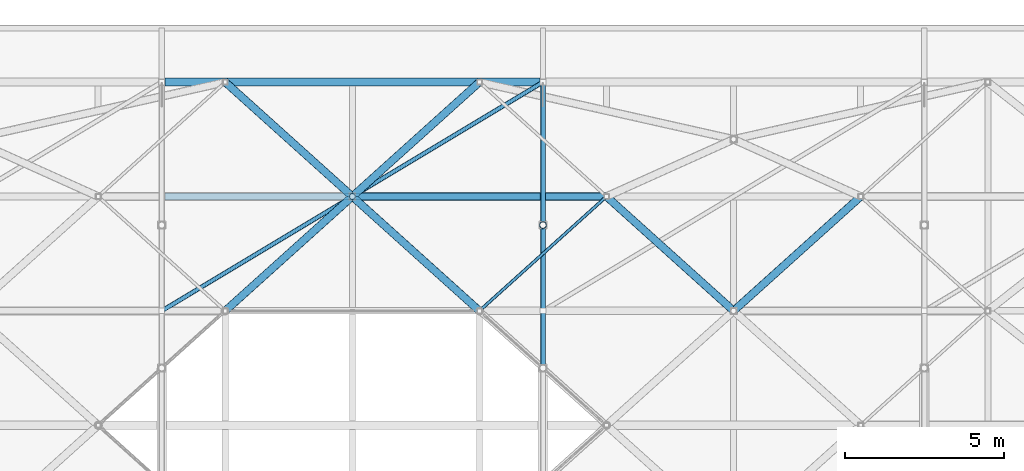
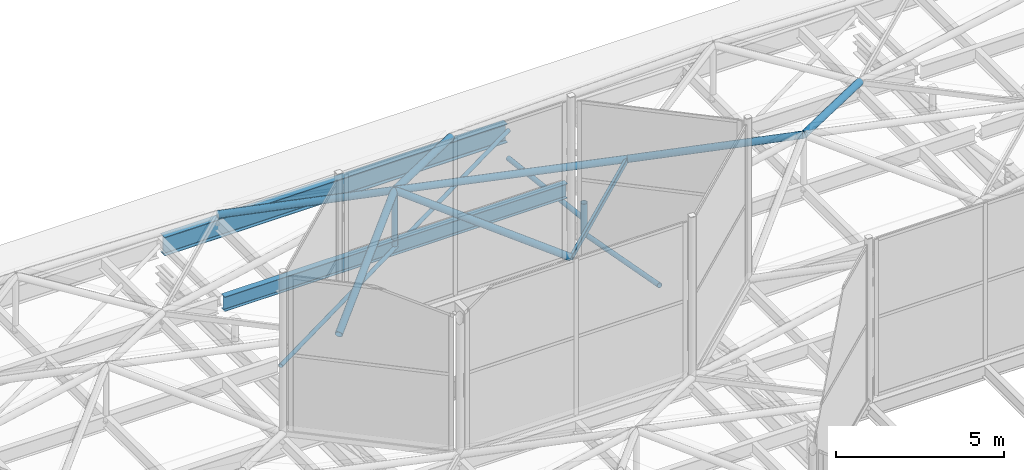
# One storey, part 140 of 239: 12 members, 3 beams.
"""IFC4 building model written with IfcOpenShell, lengths in metres."""

from ifc_helpers import new_model, si_unit, direction, frame, origin, origin_2d, place, context, subcontext, project, spatial, hollow_rectangle, hollow_circle, i_section, extrude, material, material_profile, profile_set, type_object, element, save


model = new_model("IFC4")

# Units and contexts
model_context = context("Model", 3, precision=1e-05, world=origin(), true_north=direction((0.0, 1.0)))
body_context = subcontext(model_context, "Body", "Model", "MODEL_VIEW")
ifc_project = project(units=[si_unit("LENGTHUNIT", "METRE"), si_unit("AREAUNIT", "SQUARE_METRE"), si_unit("VOLUMEUNIT", "CUBIC_METRE"), si_unit("PLANEANGLEUNIT", "RADIAN"), si_unit("MASSUNIT", "GRAM", prefix="KILO")], contexts=[model_context])

# Site, building, storey
site_placement = place(None, origin())
site = spatial("IfcSite", under=ifc_project, at=site_placement, CompositionType="ELEMENT")
building_placement = place(site_placement, origin())
building = spatial("IfcBuilding", under=site, at=building_placement, Name="Dunvalen Ferry Terminal", CompositionType="ELEMENT")
storey_placement = place(building_placement, frame((0.0, 0.0, 9.840087890625)))
storey = spatial("IfcBuildingStorey", under=building, at=storey_placement, Name="L02", CompositionType="ELEMENT", Elevation=9.840087890625)

# Beams
ifc_material = material(Name="Steel S355", Category="steel")
ifc_material_profile_1 = material_profile(ifc_material, hollow_rectangle(XDim=0.10009765625, YDim=0.199951171875, WallThickness=0.008056640625, InnerFilletRadius=0.008056640625, OuterFilletRadius=0.01611328125, at=origin_2d()), Name="Steel S355")
ifc_profile_set_1 = profile_set([ifc_material_profile_1], Name="Steel S355")
beam_type_1 = type_object("IfcBeamType", Name="STR-BM-RHS200", PredefinedType="BEAM", material=ifc_profile_set_1)
beam_1_placement = place(storey_placement, frame((70.0, 79.199951171875, 1.099853515625), z_axis=(0.743285123004, 0.668974757313, 0.0), x_axis=(-0.668974757313, 0.743285123004, 0.0)))
element("IfcBeam", 1, at=beam_1_placement, inside=storey, type_object=beam_type_1, Name="HEX-33 Hexagonal Rim Beam 3", PredefinedType="BEAM", context=body_context, shape_type="SweptSolid", body=[
    extrude(hollow_rectangle(XDim=0.10009765625, YDim=0.199951171875, WallThickness=0.008056640625, InnerFilletRadius=0.008056640625, OuterFilletRadius=0.01611328125, at=origin_2d()), origin(), (0.0, 0.0, 1.0), 5.381591796875),
])
ifc_material_profile_2 = material_profile(ifc_material, i_section(OverallWidth=0.209228515625, OverallDepth=0.533203125, WebThickness=0.010009765625, FlangeThickness=0.015625, FilletRadius=0.0126953125, at=origin_2d()), Name="Steel S355")
ifc_profile_set_2 = profile_set([ifc_material_profile_2], Name="Steel S355")
beam_type_2 = type_object("IfcBeamType", Name="STR-BM-UKB533", PredefinedType="BEAM", material=ifc_profile_set_2)
beam_2_placement = place(storey_placement, frame((60.10009765625, 82.800048828125, 0.7333984375), z_axis=(1.0, 0.0, 0.0), x_axis=(0.0, 1.0, 0.0)))
element("IfcBeam", 2, at=beam_2_placement, inside=storey, type_object=beam_type_2, Name="Departure Hall Spine Girder B5.10", PredefinedType="BEAM", context=body_context, shape_type="SweptSolid", body=[
    extrude(i_section(OverallWidth=0.209228515625, OverallDepth=0.533203125, WebThickness=0.010009765625, FlangeThickness=0.015625, FilletRadius=0.0126953125, at=origin_2d()), origin(), (0.0, 0.0, 1.0), 11.7998046875),
])
ifc_material_profile_3 = material_profile(ifc_material, i_section(OverallWidth=0.253662109375, OverallDepth=0.68359375, WebThickness=0.012451171875, FlangeThickness=0.01904296875, FilletRadius=0.01513671875, at=origin_2d()), Name="Steel S355")
ifc_profile_set_3 = profile_set([ifc_material_profile_3], Name="Steel S355")
beam_type_3 = type_object("IfcBeamType", Name="STR-BM-UKB686", PredefinedType="BEAM", material=ifc_profile_set_3)
beam_3_placement = place(storey_placement, frame((60.10009765625, 86.39990234375, 0.658203125), z_axis=(1.0, 0.0, 0.0), x_axis=(0.0, 1.0, 0.0)))
element("IfcBeam", 3, at=beam_3_placement, inside=storey, type_object=beam_type_3, Name="Departure Hall Spine Girder B5.11", PredefinedType="BEAM", context=body_context, shape_type="SweptSolid", body=[
    extrude(i_section(OverallWidth=0.253662109375, OverallDepth=0.68359375, WebThickness=0.012451171875, FlangeThickness=0.01904296875, FilletRadius=0.01513671875, at=origin_2d()), origin(), (0.0, 0.0, 1.0), 11.7998046875),
])

# Members
ifc_material_profile_4 = material_profile(ifc_material, hollow_circle(Radius=0.06982421875, WallThickness=0.00634765625, at=origin_2d()), Name="Steel S355")
ifc_profile_set_4 = profile_set([ifc_material_profile_4], Name="Steel S355")
member_type_1 = type_object("IfcMemberType", Name="STR-MB-CHS139", PredefinedType="BRACE", material=ifc_profile_set_4)
member_1_placement = place(storey_placement, frame((60.0, 79.199951171875, 0.659912109375), z_axis=(0.857494465041, 0.514493189871, 0.0), x_axis=(-0.514493189871, 0.857494465041, 0.0)))
element("IfcMember", 4, at=member_1_placement, inside=storey, type_object=member_type_1, Name="Departure Hall Roof Wind Brace 5A", PredefinedType="BRACE", context=body_context, shape_type="SweptSolid", body=[
    extrude(hollow_circle(Radius=0.06982421875, WallThickness=0.00634765625, at=origin_2d()), origin(), (0.0, 0.0, 1.0), 13.994140625),
])
ifc_material_profile_5 = material_profile(ifc_material, hollow_circle(Radius=0.084228515625, WallThickness=0.008056640625, at=origin_2d()), Name="Steel S355")
ifc_profile_set_5 = profile_set([ifc_material_profile_5], Name="Steel S355")
member_type_2 = type_object("IfcMemberType", Name="STR-MB-CHS168", PredefinedType="BRACE", material=ifc_profile_set_5)
member_2_placement = place(storey_placement, frame((72.0, 77.39990234375, 0.474853515625), z_axis=(0.0, 0.983218272848, -0.18243307797), x_axis=(-1.0, 0.0, 0.0)))
element("IfcMember", 5, at=member_2_placement, inside=storey, type_object=member_type_2, Name="Departure Hall Arch Web Diagonal 06.7", PredefinedType="BRACE", context=body_context, shape_type="SweptSolid", body=[
    extrude(hollow_circle(Radius=0.084228515625, WallThickness=0.008056640625, at=origin_2d()), origin(), (0.0, 0.0, 1.0), 4.576904296875),
])
member_3_placement = place(storey_placement, frame((72.0, 81.89990234375, 0.168701171875), z_axis=(0.0, 0.993166043245, -0.116709941931), x_axis=(-1.0, 0.0, 0.0)))
element("IfcMember", 6, at=member_3_placement, inside=storey, type_object=member_type_2, Name="Departure Hall Arch Web Diagonal 06.8", PredefinedType="BRACE", context=body_context, shape_type="SweptSolid", body=[
    extrude(hollow_circle(Radius=0.084228515625, WallThickness=0.008056640625, at=origin_2d()), origin(), (0.0, 0.0, 1.0), 4.531005859375),
])
ifc_material_profile_6 = material_profile(ifc_material, hollow_circle(Radius=0.096923828125, WallThickness=0.008056640625, at=origin_2d()), Name="Steel S355")
ifc_profile_set_6 = profile_set([ifc_material_profile_6], Name="Steel S355")
member_type_3 = type_object("IfcMemberType", Name="STR-MB-CHS193", PredefinedType="STRUT", material=ifc_profile_set_6)
member_4_placement = place(storey_placement, frame((66.0, 82.800048828125, 0.77001953125), z_axis=(0.0, 0.0, 1.0), x_axis=(1.0, 0.0, 0.0)))
element("IfcMember", 7, at=member_4_placement, inside=storey, type_object=member_type_3, Name="HEX-33 Pyramid Apex Strut", PredefinedType="STRUT", context=body_context, shape_type="SweptSolid", body=[
    extrude(hollow_circle(Radius=0.096923828125, WallThickness=0.008056640625, at=origin_2d()), origin(), (0.0, 0.0, 1.0), 1.994873046875),
])
ifc_material_profile_7 = material_profile(ifc_material, hollow_circle(Radius=0.109619140625, WallThickness=0.010009765625, at=origin_2d()), Name="Steel S355")
ifc_profile_set_7 = profile_set([ifc_material_profile_7], Name="Steel S355")
member_type_4 = type_object("IfcMemberType", Name="STR-MB-CHS219", PredefinedType="STRUT", material=ifc_profile_set_7)
member_5_placement = place(storey_placement, frame((72.0, 81.89990234375, -0.360107421875), z_axis=(0.0, 0.0, 1.0), x_axis=(1.0, 0.0, 0.0)))
element("IfcMember", 8, at=member_5_placement, inside=storey, type_object=member_type_4, Name="Departure Hall Arch Spandrel Strut 06.7", PredefinedType="STRUT", context=body_context, shape_type="SweptSolid", body=[
    extrude(hollow_circle(Radius=0.109619140625, WallThickness=0.010009765625, at=origin_2d()), origin(), (0.0, 0.0, 1.0), 1.130126953125),
])
ifc_material_profile_8 = material_profile(ifc_material, hollow_circle(Radius=0.122314453125, WallThickness=0.010009765625, at=origin_2d()), Name="Steel S355")
ifc_profile_set_8 = profile_set([ifc_material_profile_8], Name="Steel S355")
member_type_5 = type_object("IfcMemberType", Name="STR-MB-CHS244", PredefinedType="STRUT", material=ifc_profile_set_8)
for number, where, z_axis, x_axis, name in (
    (9, (62.0, 79.199951171875, 1.099853515625), (0.710074680578, 0.639084548328, 0.295575520114), (-0.668974757313, 0.743285123004, 0.0), "HEX-33 Pyramid Hip Rafter 2"),
    (10, (70.0, 79.199951171875, 1.099853515625), (-0.710074680578, 0.639084548328, 0.295575520114), (-0.668974757313, -0.743285123004, 0.0), "HEX-33 Pyramid Hip Rafter 3"),
):
    element("IfcMember", number, at=place(storey_placement, frame(where, z_axis=z_axis, x_axis=x_axis)), inside=storey, type_object=member_type_5, Name=name, PredefinedType="STRUT", context=body_context, shape_type="SweptSolid", body=[
        extrude(hollow_circle(Radius=0.122314453125, WallThickness=0.010009765625, at=origin_2d()), origin(), (0.0, 0.0, 1.0), 5.63330078125),
    ])
member_6_placement = place(storey_placement, frame((74.0, 82.800048828125, 1.099853515625), z_axis=(-0.979020171275, 0.0, 0.203763353518), x_axis=(0.0, -1.0, 0.0)))
element("IfcMember", 11, at=member_6_placement, inside=storey, type_object=member_type_5, Name="HEX-33 Pyramid Hip Rafter 4", PredefinedType="STRUT", context=body_context, shape_type="SweptSolid", body=[
    extrude(hollow_circle(Radius=0.122314453125, WallThickness=0.010009765625, at=origin_2d()), origin(), (0.0, 0.0, 1.0), 8.17138671875),
])
for number, where, z_axis, x_axis, name in (
    (12, (70.0, 86.39990234375, 1.099853515625), (-0.710094348105, -0.639058908863, 0.295583706914), (0.668949692402, -0.74330768127, 0.0), "HEX-33 Pyramid Hip Rafter 5"),
    (13, (62.0, 86.39990234375, 1.099853515625), (0.710094348105, -0.639058908863, 0.295583706914), (0.668949692402, 0.74330768127, 0.0), "HEX-33 Pyramid Hip Rafter 6"),
):
    element("IfcMember", number, at=place(storey_placement, frame(where, z_axis=z_axis, x_axis=x_axis)), inside=storey, type_object=member_type_5, Name=name, PredefinedType="STRUT", context=body_context, shape_type="SweptSolid", body=[
        extrude(hollow_circle(Radius=0.122314453125, WallThickness=0.010009765625, at=origin_2d()), origin(), (0.0, 0.0, 1.0), 5.633056640625),
    ])
for number, where, z_axis, x_axis, name in (
    (14, (82.0, 82.800048828125, 1.099853515625), (-0.710074680578, -0.639084548328, 0.295575520114), (0.668974757313, -0.743285123004, 0.0), "HEX-38 Pyramid Hip Rafter 5"),
    (15, (74.0, 82.800048828125, 1.099853515625), (0.710074680578, -0.639084548328, 0.295575520114), (0.668974757313, 0.743285123004, 0.0), "HEX-38 Pyramid Hip Rafter 6"),
):
    element("IfcMember", number, at=place(storey_placement, frame(where, z_axis=z_axis, x_axis=x_axis)), inside=storey, type_object=member_type_5, Name=name, PredefinedType="STRUT", context=body_context, shape_type="SweptSolid", body=[
        extrude(hollow_circle(Radius=0.122314453125, WallThickness=0.010009765625, at=origin_2d()), origin(), (0.0, 0.0, 1.0), 5.63330078125),
    ])

save(model, "model.ifc")
